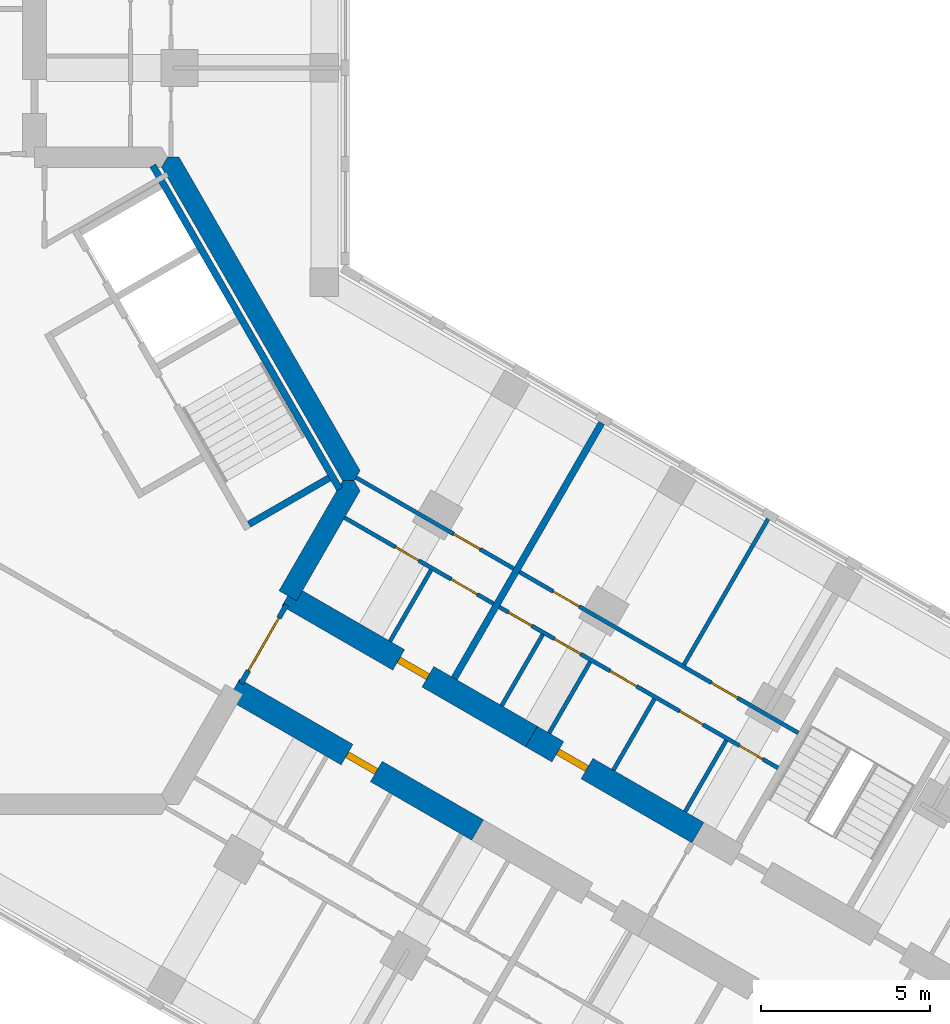
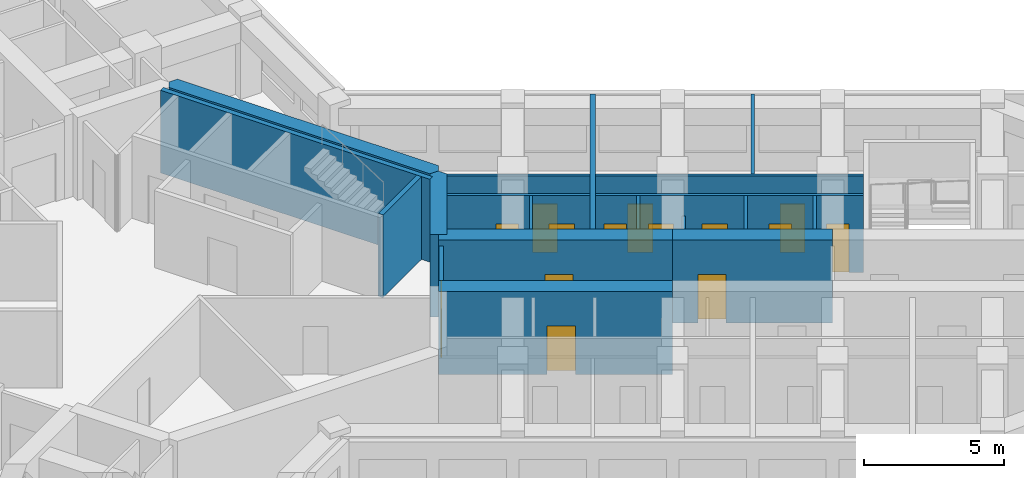
# One storey, part 12 of 16: 19 walls, 14 doors, 14 openings.
"""IFC4 building model written with IfcOpenShell, lengths in metres."""

from ifc_helpers import new_model, si_unit, direction, frame, frame_2d, origin, place, context, subcontext, project, spatial, polyline, rectangle, outline, extrude, material, layer, layer_set, type_object, element, fill, save


model = new_model("IFC4")

# Units and contexts
model_context = context("Model", 3, precision=1e-05, world=origin(), true_north=direction((0.0, 1.0)))
body_context = subcontext(model_context, "Body", "Model", "MODEL_VIEW")
ifc_project = project(units=[si_unit("LENGTHUNIT", "METRE"), si_unit("AREAUNIT", "SQUARE_METRE"), si_unit("VOLUMEUNIT", "CUBIC_METRE"), si_unit("PLANEANGLEUNIT", "RADIAN"), si_unit("MASSUNIT", "GRAM", prefix="KILO")], contexts=[model_context])

# Site, building, storey
site_placement = place(None, origin())
site = spatial("IfcSite", under=ifc_project, at=site_placement, CompositionType="ELEMENT")
building_placement = place(site_placement, origin())
building = spatial("IfcBuilding", under=site, at=building_placement, Name="Kosmar Iwan School Tower", CompositionType="ELEMENT")
storey_placement = place(building_placement, frame((0.0, 0.0, 235.199951171875)))
storey = spatial("IfcBuildingStorey", under=building, at=storey_placement, Name="L59", CompositionType="ELEMENT", Elevation=235.199951171875)

# Walls
ifc_material_1 = material(Name="Concrete C50/60", Category="concrete")
ifc_layer_1 = layer(ifc_material_1, 0.60009765625)
ifc_layer_set_1 = layer_set([ifc_layer_1], Name="Core wall 600")
wall_type_1 = type_object("IfcWallType", Name="Core wall 600", PredefinedType="SHEAR", material=ifc_layer_set_1)
wall_1_placement = place(storey_placement, origin())
element("IfcWall", 1, at=wall_1_placement, inside=storey, type_object=wall_type_1, Name="Core wall F030", PredefinedType="SHEAR", context=body_context, shape_type="SweptSolid", body=[
    extrude(outline(polyline([(10.73876953125, 0.0), (11.085205078125, 0.0), (11.25830078125, 0.300048828125), (5.888916015625, 9.60009765625), (5.54248046875, 9.60009765625), (5.369384765625, 9.300048828125), (10.73876953125, 0.0)])), origin(), (0.0, 0.0, 1.0), 3.60009765625),
])
wall_2_placement = place(storey_placement, origin())
element("IfcWall", 2, at=wall_2_placement, inside=storey, type_object=wall_type_1, Name="Core wall F330b", PredefinedType="SHEAR", context=body_context, shape_type="SweptSolid", body=[
    extrude(outline(polyline([(9.37353515625, -3.564453125), (11.25830078125, -0.300048828125), (11.085205078125, 0.0), (10.73876953125, 0.0), (8.85400390625, -3.264404296875), (9.37353515625, -3.564453125)])), origin(), (0.0, 0.0, 1.0), 3.60009765625),
])

# Wall, opening, door
ifc_material_2 = material(Name="Concrete C50/60", Category="concrete")
ifc_layer_2 = layer(ifc_material_2, 0.699951171875)
ifc_layer_set_2 = layer_set([ifc_layer_2], Name="Corridor buttress wall 700")
wall_type_2 = type_object("IfcWallType", Name="Corridor buttress wall 700", PredefinedType="SHEAR", material=ifc_layer_set_2)
wall_3_placement = place(storey_placement, frame((9.11376953125, -3.414306640625, 0.0), z_axis=(0.0, 0.0, 1.0), x_axis=(0.866026859388, -0.499997478812, 0.0)))
wall_3 = element("IfcWall", 3, at=wall_3_placement, inside=storey, type_object=wall_type_2, Name="Corridor wall CL", PredefinedType="SHEAR", context=body_context, shape_type="SweptSolid", body=[
    extrude(rectangle(XDim=8.35009765625, YDim=0.699951171875, at=frame_2d((4.175048828125, 0.0))), origin(), (0.0, 0.0, 1.0), 3.60009765625),
])
opening_1_placement = place(wall_3_placement, frame((3.800048828125, 0.0, 0.0)))
opening_1 = element("IfcOpeningElement", 4, at=opening_1_placement, cuts=wall_3, Name="Opening D1", PredefinedType="OPENING", context=body_context, shape_type="SweptSolid", body=[
    extrude(rectangle(XDim=1.0, YDim=2.10009765625, at=frame_2d((0.5, 1.050048828125))), frame((0.0, 0.362060546875, 0.0), z_axis=(0.0, -1.0, 0.0), x_axis=(1.0, 0.0, 0.0)), (0.0, 0.0, 1.0), 0.723876953125),
])
ifc_material_3 = material(Name="Timber fire door in steel frame", Category="steel")
door_type_1 = type_object("IfcDoorType", Name="Flat entrance door 1000x2100", OperationType="SINGLE_SWING_LEFT", PredefinedType="DOOR", material=ifc_material_3)
door_1_placement = place(opening_1_placement, origin())
door_1 = element("IfcDoor", 5, at=door_1_placement, inside=storey, type_object=door_type_1, Name="Flat L59-CL1 entrance door", OperationType="SINGLE_SWING_LEFT", OverallHeight=2.10009765625, OverallWidth=1.0, PredefinedType="DOOR", context=body_context, shape_type="SweptSolid", body=[
    extrude(rectangle(XDim=1.0, YDim=2.10009765625, at=frame_2d((0.5, 1.050048828125))), frame((0.0, 0.10009765625, 0.0), z_axis=(0.0, -1.0, 0.0), x_axis=(1.0, 0.0, 0.0)), (0.0, 0.0, 1.0), 0.199951171875),
])
fill(opening_1, door_1)

wall_4_placement = place(storey_placement, frame((16.34521484375, -7.58935546875, 0.0), z_axis=(0.0, 0.0, 1.0), x_axis=(0.866015111908, -0.50001782563, 0.0)))
wall_4 = element("IfcWall", 6, at=wall_4_placement, inside=storey, type_object=wall_type_2, Name="Corridor wall CL bay 2", PredefinedType="SHEAR", context=body_context, shape_type="SweptSolid", body=[
    extrude(rectangle(XDim=5.699951171875, YDim=0.699951171875, at=frame_2d((2.85009765625, 0.0))), origin(), (0.0, 0.0, 1.0), 3.60009765625),
])
opening_2_placement = place(wall_4_placement, frame((0.89990234375, 0.0, 0.0)))
opening_2 = element("IfcOpeningElement", 7, at=opening_2_placement, cuts=wall_4, Name="Opening D1", PredefinedType="OPENING", context=body_context, shape_type="SweptSolid", body=[
    extrude(rectangle(XDim=1.0, YDim=2.10009765625, at=frame_2d((0.5, 1.050048828125))), frame((0.0, 0.362060546875, 0.0), z_axis=(0.0, -1.0, 0.0), x_axis=(1.0, 0.0, 0.0)), (0.0, 0.0, 1.0), 0.723876953125),
])
door_2_placement = place(opening_2_placement, origin())
door_2 = element("IfcDoor", 8, at=door_2_placement, inside=storey, type_object=door_type_1, Name="Flat L59-CL2 entrance door", OperationType="SINGLE_SWING_LEFT", OverallHeight=2.10009765625, OverallWidth=1.0, PredefinedType="DOOR", context=body_context, shape_type="SweptSolid", body=[
    extrude(rectangle(XDim=1.0, YDim=2.10009765625, at=frame_2d((0.5, 1.050048828125))), frame((0.0, 0.10009765625, 0.0), z_axis=(0.0, -1.0, 0.0), x_axis=(1.0, 0.0, 0.0)), (0.0, 0.0, 1.0), 0.199951171875),
])
fill(opening_2, door_2)

wall_5_placement = place(storey_placement, frame((7.513916015625, -6.185546875, 0.0), z_axis=(0.0, 0.0, 1.0), x_axis=(0.866019549707, -0.500010139422, 0.0)))
wall_5 = element("IfcWall", 9, at=wall_5_placement, inside=storey, type_object=wall_type_2, Name="Corridor wall CR", PredefinedType="SHEAR", context=body_context, shape_type="SweptSolid", body=[
    extrude(rectangle(XDim=8.349853515625, YDim=0.699951171875, at=frame_2d((4.1748046875, 0.0))), origin(), (0.0, 0.0, 1.0), 3.60009765625),
])
opening_3_placement = place(wall_5_placement, frame((3.8798828125, 0.0, 0.0)))
opening_3 = element("IfcOpeningElement", 10, at=opening_3_placement, cuts=wall_5, Name="Opening D1", PredefinedType="OPENING", context=body_context, shape_type="SweptSolid", body=[
    extrude(rectangle(XDim=1.0, YDim=2.10009765625, at=frame_2d((0.5, 1.050048828125))), frame((0.0, 0.362060546875, 0.0), z_axis=(0.0, -1.0, 0.0), x_axis=(1.0, 0.0, 0.0)), (0.0, 0.0, 1.0), 0.723876953125),
])
door_3_placement = place(opening_3_placement, origin())
door_3 = element("IfcDoor", 11, at=door_3_placement, inside=storey, type_object=door_type_1, Name="Flat L59-CR1 entrance door", OperationType="SINGLE_SWING_RIGHT", OverallHeight=2.10009765625, OverallWidth=1.0, PredefinedType="DOOR", context=body_context, shape_type="SweptSolid", body=[
    extrude(rectangle(XDim=1.0, YDim=2.10009765625, at=frame_2d((0.5, 1.050048828125))), frame((0.0, 0.10009765625, 0.0), z_axis=(0.0, -1.0, 0.0), x_axis=(1.0, 0.0, 0.0)), (0.0, 0.0, 1.0), 0.199951171875),
])
fill(opening_3, door_3)

ifc_material_4 = material(Name="Steel framed glazed screen", Category="steel")
ifc_layer_3 = layer(ifc_material_4, 0.14990234375)
ifc_layer_set_3 = layer_set([ifc_layer_3], Name="Corridor screen wall 150")
wall_type_3 = type_object("IfcWallType", Name="Corridor screen wall 150", PredefinedType="PARTITIONING", material=ifc_layer_set_3)
wall_6_placement = place(storey_placement, frame((7.725341796875, -6.01904296875, 0.0), z_axis=(0.0, 0.0, 1.0), x_axis=(0.500048589285, 0.86599734893, 0.0)))
wall_6 = element("IfcWall", 12, at=wall_6_placement, inside=storey, type_object=wall_type_3, Name="Corridor screen C L59", PredefinedType="PARTITIONING", context=body_context, shape_type="SweptSolid", body=[
    extrude(rectangle(XDim=2.699951171875, YDim=0.14990234375, at=frame_2d((1.35009765625, 0.0))), origin(), (0.0, 0.0, 1.0), 3.35009765625),
])
opening_4_placement = place(wall_6_placement, frame((0.449951171875, 0.0, 0.0)))
opening_4 = element("IfcOpeningElement", 13, at=opening_4_placement, cuts=wall_6, Name="Opening D9", PredefinedType="OPENING", context=body_context, shape_type="SweptSolid", body=[
    extrude(rectangle(XDim=1.800048828125, YDim=2.10009765625, at=frame_2d((0.89990234375, 1.050048828125))), frame((0.0, 0.0869140625, 0.0), z_axis=(0.0, -1.0, 0.0), x_axis=(1.0, 0.0, 0.0)), (0.0, 0.0, 1.0), 0.173828125),
])
ifc_material_5 = material(Name="Steel framed glazed smoke door", Category="steel")
door_type_2 = type_object("IfcDoorType", Name="Corridor smoke door pair 1800x2100", OperationType="DOUBLE_DOOR_DOUBLE_SWING", PredefinedType="DOOR", material=ifc_material_5)
door_4_placement = place(opening_4_placement, origin())
door_4 = element("IfcDoor", 14, at=door_4_placement, inside=storey, type_object=door_type_2, Name="Corridor doors C L59", OperationType="DOUBLE_DOOR_DOUBLE_SWING", OverallHeight=2.10009765625, OverallWidth=1.800048828125, PredefinedType="DOOR", context=body_context, shape_type="SweptSolid", body=[
    extrude(rectangle(XDim=1.800048828125, YDim=2.10009765625, at=frame_2d((0.89990234375, 1.050048828125))), frame((0.0, 0.02490234375, 0.0), z_axis=(0.0, -1.0, 0.0), x_axis=(1.0, 0.0, 0.0)), (0.0, 0.0, 1.0), 0.050048828125),
])
fill(opening_4, door_4)

# Wall, openings, doors
ifc_material_6 = material(Name="Gypsum board on steel studs", Category="steel")
ifc_layer_4 = layer(ifc_material_6, 0.1201171875)
ifc_layer_set_4 = layer_set([ifc_layer_4], Name="Dwelling partition 120")
wall_type_4 = type_object("IfcWallType", Name="Dwelling partition 120", PredefinedType="PARTITIONING", material=ifc_layer_set_4)
wall_7_placement = place(storey_placement, frame((10.798583984375, -1.09619140625, 0.0), z_axis=(0.0, 0.0, 1.0), x_axis=(0.86602216432, -0.500005610874, 0.0)))
wall_7 = element("IfcWall", 15, at=wall_7_placement, inside=storey, type_object=wall_type_4, Name="Partition L59-CL1-W1", PredefinedType="PARTITIONING", context=body_context, shape_type="SweptSolid", body=[
    extrude(rectangle(XDim=5.10009765625, YDim=0.1201171875, at=frame_2d((2.550048828125, 0.0))), origin(), (0.0, 0.0, 1.0), 3.35009765625),
])
opening_5_placement = place(wall_7_placement, frame((1.75, 0.0, 0.0)))
opening_5 = element("IfcOpeningElement", 16, at=opening_5_placement, cuts=wall_7, Name="Opening D3", PredefinedType="OPENING", context=body_context, shape_type="SweptSolid", body=[
    extrude(rectangle(XDim=0.800048828125, YDim=2.10009765625, at=frame_2d((0.39990234375, 1.050048828125))), frame((0.0, 0.072021484375, 0.0), z_axis=(0.0, -1.0, 0.0), x_axis=(1.0, 0.0, 0.0)), (0.0, 0.0, 1.0), 0.14404296875),
])
opening_6_placement = place(wall_7_placement, frame((3.64990234375, 0.0, 0.0)))
opening_6 = element("IfcOpeningElement", 17, at=opening_6_placement, cuts=wall_7, Name="Opening D2", PredefinedType="OPENING", context=body_context, shape_type="SweptSolid", body=[
    extrude(rectangle(XDim=0.89990234375, YDim=2.10009765625, at=frame_2d((0.449951171875, 1.050048828125))), frame((0.0, 0.072021484375, 0.0), z_axis=(0.0, -1.0, 0.0), x_axis=(1.0, 0.0, 0.0)), (0.0, 0.0, 1.0), 0.14404296875),
])
ifc_material_7 = material(Name="Timber door in timber frame", Category="wood")
door_type_3 = type_object("IfcDoorType", Name="Internal door 900x2100", OperationType="SINGLE_SWING_LEFT", PredefinedType="DOOR", material=ifc_material_7)
door_5_placement = place(opening_6_placement, origin())
door_5 = element("IfcDoor", 18, at=door_5_placement, inside=storey, type_object=door_type_3, Name="Entrance hall door L59-CL1-S2", OperationType="SINGLE_SWING_RIGHT", OverallHeight=2.10009765625, OverallWidth=0.89990234375, PredefinedType="DOOR", context=body_context, shape_type="SweptSolid", body=[
    extrude(rectangle(XDim=0.89990234375, YDim=2.10009765625, at=frame_2d((0.449951171875, 1.050048828125))), frame((0.0, 0.02490234375, 0.0), z_axis=(0.0, -1.0, 0.0), x_axis=(1.0, 0.0, 0.0)), (0.0, 0.0, 1.0), 0.050048828125),
])
fill(opening_6, door_5)
ifc_material_8 = material(Name="Timber door in timber frame", Category="wood")
door_type_4 = type_object("IfcDoorType", Name="Sanitary room door 800x2100", OperationType="SINGLE_SWING_LEFT", PredefinedType="DOOR", material=ifc_material_8)
door_6_placement = place(opening_5_placement, origin())
door_6 = element("IfcDoor", 19, at=door_6_placement, inside=storey, type_object=door_type_4, Name="Bathroom door L59-CL1-S1", OperationType="SINGLE_SWING_LEFT", OverallHeight=2.10009765625, OverallWidth=0.800048828125, PredefinedType="DOOR", context=body_context, shape_type="SweptSolid", body=[
    extrude(rectangle(XDim=0.800048828125, YDim=2.10009765625, at=frame_2d((0.39990234375, 1.050048828125))), frame((0.0, 0.02490234375, 0.0), z_axis=(0.0, -1.0, 0.0), x_axis=(1.0, 0.0, 0.0)), (0.0, 0.0, 1.0), 0.050048828125),
])
fill(opening_5, door_6)

# Wall, opening, door
wall_8_placement = place(storey_placement, frame((11.138916015625, 0.093017578125, 0.0), z_axis=(0.0, 0.0, 1.0), x_axis=(0.866028230842, -0.499995103361, 0.0)))
wall_8 = element("IfcWall", 20, at=wall_8_placement, inside=storey, type_object=wall_type_4, Name="Partition L59-CL1-W2", PredefinedType="PARTITIONING", context=body_context, shape_type="SweptSolid", body=[
    extrude(rectangle(XDim=5.39990234375, YDim=0.1201171875, at=frame_2d((2.699951171875, 0.0))), origin(), (0.0, 0.0, 1.0), 3.35009765625),
])
opening_7_placement = place(wall_8_placement, frame((3.35009765625, 0.0, 0.0)))
opening_7 = element("IfcOpeningElement", 21, at=opening_7_placement, cuts=wall_8, Name="Opening D2", PredefinedType="OPENING", context=body_context, shape_type="SweptSolid", body=[
    extrude(rectangle(XDim=0.89990234375, YDim=2.10009765625, at=frame_2d((0.449951171875, 1.050048828125))), frame((0.0, 0.072021484375, 0.0), z_axis=(0.0, -1.0, 0.0), x_axis=(1.0, 0.0, 0.0)), (0.0, 0.0, 1.0), 0.14404296875),
])
door_7_placement = place(opening_7_placement, origin())
door_7 = element("IfcDoor", 22, at=door_7_placement, inside=storey, type_object=door_type_3, Name="Studio living room and kitchen door L59-CL1-F1", OperationType="SINGLE_SWING_RIGHT", OverallHeight=2.10009765625, OverallWidth=0.89990234375, PredefinedType="DOOR", context=body_context, shape_type="SweptSolid", body=[
    extrude(rectangle(XDim=0.89990234375, YDim=2.10009765625, at=frame_2d((0.449951171875, 1.050048828125))), frame((0.0, 0.02490234375, 0.0), z_axis=(0.0, -1.0, 0.0), x_axis=(1.0, 0.0, 0.0)), (0.0, 0.0, 1.0), 0.050048828125),
])
fill(opening_7, door_7)

# Wall
wall_9_placement = place(storey_placement, frame((12.146728515625, -4.76123046875, 0.0), z_axis=(0.0, 0.0, 1.0), x_axis=(0.500002508028, 0.866023955769, 0.0)))
element("IfcWall", 23, at=wall_9_placement, inside=storey, type_object=wall_type_4, Name="Partition L59-CL1-Y1", PredefinedType="PARTITIONING", context=body_context, shape_type="SweptSolid", body=[
    extrude(rectangle(XDim=2.43994140625, YDim=0.1201171875, at=frame_2d((1.219970703125, 0.0))), origin(), (0.0, 0.0, 1.0), 3.35009765625),
])

# Wall, openings, doors
wall_10_placement = place(storey_placement, frame((15.388671875, -3.74609375, 0.0), z_axis=(0.0, 0.0, 1.0), x_axis=(0.866017851049, -0.500013081493, 0.0)))
wall_10 = element("IfcWall", 24, at=wall_10_placement, inside=storey, type_object=wall_type_4, Name="Partition L59-CL2-W1", PredefinedType="PARTITIONING", context=body_context, shape_type="SweptSolid", body=[
    extrude(rectangle(XDim=9.550048828125, YDim=0.1201171875, at=frame_2d((4.77490234375, 0.0))), origin(), (0.0, 0.0, 1.0), 3.35009765625),
])
opening_8_placement = place(wall_10_placement, frame((0.3125, 0.0, 0.0)))
opening_8 = element("IfcOpeningElement", 25, at=opening_8_placement, cuts=wall_10, Name="Opening D3", PredefinedType="OPENING", context=body_context, shape_type="SweptSolid", body=[
    extrude(rectangle(XDim=0.800048828125, YDim=2.10009765625, at=frame_2d((0.39990234375, 1.050048828125))), frame((0.0, 0.072021484375, 0.0), z_axis=(0.0, -1.0, 0.0), x_axis=(1.0, 0.0, 0.0)), (0.0, 0.0, 1.0), 0.14404296875),
])
opening_9_placement = place(wall_10_placement, frame((1.887451171875, 0.0, 0.0)))
opening_9 = element("IfcOpeningElement", 26, at=opening_9_placement, cuts=wall_10, Name="Opening D2", PredefinedType="OPENING", context=body_context, shape_type="SweptSolid", body=[
    extrude(rectangle(XDim=0.89990234375, YDim=2.10009765625, at=frame_2d((0.449951171875, 1.050048828125))), frame((0.0, 0.072021484375, 0.0), z_axis=(0.0, -1.0, 0.0), x_axis=(1.0, 0.0, 0.0)), (0.0, 0.0, 1.0), 0.14404296875),
])
opening_10_placement = place(wall_10_placement, frame((3.800048828125, 0.0, 0.0)))
opening_10 = element("IfcOpeningElement", 27, at=opening_10_placement, cuts=wall_10, Name="Opening D2", PredefinedType="OPENING", context=body_context, shape_type="SweptSolid", body=[
    extrude(rectangle(XDim=0.89990234375, YDim=2.10009765625, at=frame_2d((0.449951171875, 1.050048828125))), frame((0.0, 0.072021484375, 0.0), z_axis=(0.0, -1.0, 0.0), x_axis=(1.0, 0.0, 0.0)), (0.0, 0.0, 1.0), 0.14404296875),
])
opening_11_placement = place(wall_10_placement, frame((6.179931640625, 0.0, 0.0)))
opening_11 = element("IfcOpeningElement", 28, at=opening_11_placement, cuts=wall_10, Name="Opening D3", PredefinedType="OPENING", context=body_context, shape_type="SweptSolid", body=[
    extrude(rectangle(XDim=0.800048828125, YDim=2.10009765625, at=frame_2d((0.39990234375, 1.050048828125))), frame((0.0, 0.072021484375, 0.0), z_axis=(0.0, -1.0, 0.0), x_axis=(1.0, 0.0, 0.0)), (0.0, 0.0, 1.0), 0.14404296875),
])
opening_12_placement = place(wall_10_placement, frame((8.22998046875, 0.0, 0.0)))
opening_12 = element("IfcOpeningElement", 29, at=opening_12_placement, cuts=wall_10, Name="Opening D3", PredefinedType="OPENING", context=body_context, shape_type="SweptSolid", body=[
    extrude(rectangle(XDim=0.800048828125, YDim=2.10009765625, at=frame_2d((0.39990234375, 1.050048828125))), frame((0.0, 0.072021484375, 0.0), z_axis=(0.0, -1.0, 0.0), x_axis=(1.0, 0.0, 0.0)), (0.0, 0.0, 1.0), 0.14404296875),
])
door_8_placement = place(opening_9_placement, origin())
door_8 = element("IfcDoor", 30, at=door_8_placement, inside=storey, type_object=door_type_3, Name="Pantry door L59-CL2-S2", OperationType="SINGLE_SWING_LEFT", OverallHeight=2.10009765625, OverallWidth=0.89990234375, PredefinedType="DOOR", context=body_context, shape_type="SweptSolid", body=[
    extrude(rectangle(XDim=0.89990234375, YDim=2.10009765625, at=frame_2d((0.449951171875, 1.050048828125))), frame((0.0, 0.02490234375, 0.0), z_axis=(0.0, -1.0, 0.0), x_axis=(1.0, 0.0, 0.0)), (0.0, 0.0, 1.0), 0.050048828125),
])
fill(opening_9, door_8)
door_9_placement = place(opening_10_placement, origin())
door_9 = element("IfcDoor", 31, at=door_9_placement, inside=storey, type_object=door_type_3, Name="Entrance hall door L59-CL2-S3", OperationType="SINGLE_SWING_LEFT", OverallHeight=2.10009765625, OverallWidth=0.89990234375, PredefinedType="DOOR", context=body_context, shape_type="SweptSolid", body=[
    extrude(rectangle(XDim=0.89990234375, YDim=2.10009765625, at=frame_2d((0.449951171875, 1.050048828125))), frame((0.0, 0.02490234375, 0.0), z_axis=(0.0, -1.0, 0.0), x_axis=(1.0, 0.0, 0.0)), (0.0, 0.0, 1.0), 0.050048828125),
])
fill(opening_10, door_9)
door_10_placement = place(opening_8_placement, origin())
door_10 = element("IfcDoor", 32, at=door_10_placement, inside=storey, type_object=door_type_4, Name="Store door L59-CL2-S1", OperationType="SINGLE_SWING_LEFT", OverallHeight=2.10009765625, OverallWidth=0.800048828125, PredefinedType="DOOR", context=body_context, shape_type="SweptSolid", body=[
    extrude(rectangle(XDim=0.800048828125, YDim=2.10009765625, at=frame_2d((0.39990234375, 1.050048828125))), frame((0.0, 0.02490234375, 0.0), z_axis=(0.0, -1.0, 0.0), x_axis=(1.0, 0.0, 0.0)), (0.0, 0.0, 1.0), 0.050048828125),
])
fill(opening_8, door_10)
door_11_placement = place(opening_11_placement, origin())
door_11 = element("IfcDoor", 33, at=door_11_placement, inside=storey, type_object=door_type_4, Name="Bathroom door L59-CL2-S4", OperationType="SINGLE_SWING_RIGHT", OverallHeight=2.10009765625, OverallWidth=0.800048828125, PredefinedType="DOOR", context=body_context, shape_type="SweptSolid", body=[
    extrude(rectangle(XDim=0.800048828125, YDim=2.10009765625, at=frame_2d((0.39990234375, 1.050048828125))), frame((0.0, 0.02490234375, 0.0), z_axis=(0.0, -1.0, 0.0), x_axis=(1.0, 0.0, 0.0)), (0.0, 0.0, 1.0), 0.050048828125),
])
fill(opening_11, door_11)
door_12_placement = place(opening_12_placement, origin())
door_12 = element("IfcDoor", 34, at=door_12_placement, inside=storey, type_object=door_type_4, Name="WC door L59-CL2-S5", OperationType="SINGLE_SWING_RIGHT", OverallHeight=2.10009765625, OverallWidth=0.800048828125, PredefinedType="DOOR", context=body_context, shape_type="SweptSolid", body=[
    extrude(rectangle(XDim=0.800048828125, YDim=2.10009765625, at=frame_2d((0.39990234375, 1.050048828125))), frame((0.0, 0.02490234375, 0.0), z_axis=(0.0, -1.0, 0.0), x_axis=(1.0, 0.0, 0.0)), (0.0, 0.0, 1.0), 0.050048828125),
])
fill(opening_12, door_12)

wall_11_placement = place(storey_placement, frame((15.988525390625, -2.70703125, 0.0), z_axis=(0.0, 0.0, 1.0), x_axis=(0.866028920859, -0.499993908199, 0.0)))
wall_11 = element("IfcWall", 35, at=wall_11_placement, inside=storey, type_object=wall_type_4, Name="Partition L59-CL2-W2", PredefinedType="PARTITIONING", context=body_context, shape_type="SweptSolid", body=[
    extrude(rectangle(XDim=9.5498046875, YDim=0.1201171875, at=frame_2d((4.77490234375, 0.0))), origin(), (0.0, 0.0, 1.0), 3.35009765625),
])
opening_13_placement = place(wall_11_placement, frame((1.14990234375, 0.0, 0.0)))
opening_13 = element("IfcOpeningElement", 36, at=opening_13_placement, cuts=wall_11, Name="Opening D2", PredefinedType="OPENING", context=body_context, shape_type="SweptSolid", body=[
    extrude(rectangle(XDim=0.89990234375, YDim=2.10009765625, at=frame_2d((0.449951171875, 1.050048828125))), frame((0.0, 0.072021484375, 0.0), z_axis=(0.0, -1.0, 0.0), x_axis=(1.0, 0.0, 0.0)), (0.0, 0.0, 1.0), 0.14404296875),
])
opening_14_placement = place(wall_11_placement, frame((6.574951171875, 0.0, 0.0)))
opening_14 = element("IfcOpeningElement", 37, at=opening_14_placement, cuts=wall_11, Name="Opening D2", PredefinedType="OPENING", context=body_context, shape_type="SweptSolid", body=[
    extrude(rectangle(XDim=0.89990234375, YDim=2.10009765625, at=frame_2d((0.449951171875, 1.050048828125))), frame((0.0, 0.072021484375, 0.0), z_axis=(0.0, -1.0, 0.0), x_axis=(1.0, 0.0, 0.0)), (0.0, 0.0, 1.0), 0.14404296875),
])
door_13_placement = place(opening_13_placement, origin())
door_13 = element("IfcDoor", 38, at=door_13_placement, inside=storey, type_object=door_type_3, Name="Living room and kitchen door L59-CL2-F1", OperationType="SINGLE_SWING_LEFT", OverallHeight=2.10009765625, OverallWidth=0.89990234375, PredefinedType="DOOR", context=body_context, shape_type="SweptSolid", body=[
    extrude(rectangle(XDim=0.89990234375, YDim=2.10009765625, at=frame_2d((0.449951171875, 1.050048828125))), frame((0.0, 0.02490234375, 0.0), z_axis=(0.0, -1.0, 0.0), x_axis=(1.0, 0.0, 0.0)), (0.0, 0.0, 1.0), 0.050048828125),
])
fill(opening_13, door_13)
door_14_placement = place(opening_14_placement, origin())
door_14 = element("IfcDoor", 39, at=door_14_placement, inside=storey, type_object=door_type_3, Name="Bedroom 1 door L59-CL2-F2", OperationType="SINGLE_SWING_LEFT", OverallHeight=2.10009765625, OverallWidth=0.89990234375, PredefinedType="DOOR", context=body_context, shape_type="SweptSolid", body=[
    extrude(rectangle(XDim=0.89990234375, YDim=2.10009765625, at=frame_2d((0.449951171875, 1.050048828125))), frame((0.0, 0.02490234375, 0.0), z_axis=(0.0, -1.0, 0.0), x_axis=(1.0, 0.0, 0.0)), (0.0, 0.0, 1.0), 0.050048828125),
])
fill(opening_14, door_14)

# Walls
wall_12_placement = place(storey_placement, frame((20.868408203125, -5.455078125, 0.0), z_axis=(0.0, 0.0, 1.0), x_axis=(0.499975153383, 0.86603974851, 0.0)))
element("IfcWall", 40, at=wall_12_placement, inside=storey, type_object=wall_type_4, Name="Partition L59-CL2-X1", PredefinedType="PARTITIONING", context=body_context, shape_type="SweptSolid", body=[
    extrude(rectangle(XDim=4.989990234375, YDim=0.1201171875, at=frame_2d((2.4951171875, 0.0))), origin(), (0.0, 0.0, 1.0), 3.35009765625),
])
wall_13_placement = place(storey_placement, frame((15.459228515625, -6.673828125, 0.0), z_axis=(0.0, 0.0, 1.0), x_axis=(0.499959183527, 0.866048967903, 0.0)))
element("IfcWall", 41, at=wall_13_placement, inside=storey, type_object=wall_type_4, Name="Partition L59-CL2-Y1", PredefinedType="PARTITIONING", context=body_context, shape_type="SweptSolid", body=[
    extrude(rectangle(XDim=2.440185546875, YDim=0.1201171875, at=frame_2d((1.22021484375, 0.0))), origin(), (0.0, 0.0, 1.0), 3.35009765625),
])
wall_14_placement = place(storey_placement, frame((16.866455078125, -7.486328125, 0.0), z_axis=(0.0, 0.0, 1.0), x_axis=(0.500034220881, 0.866005645448, 0.0)))
element("IfcWall", 42, at=wall_14_placement, inside=storey, type_object=wall_type_4, Name="Partition L59-CL2-Y2", PredefinedType="PARTITIONING", context=body_context, shape_type="SweptSolid", body=[
    extrude(rectangle(XDim=2.440185546875, YDim=0.1201171875, at=frame_2d((1.22021484375, 0.0))), origin(), (0.0, 0.0, 1.0), 2.449951171875),
])
for number, where, z_axis, x_axis, name in (
    (43, (18.771728515625, -8.586181640625, 0.0), (0.0, 0.0, 1.0), (0.500077547548, 0.865980627057, 0.0), "Partition L59-CL2-Y3"),
    (44, (20.90234375, -9.816162109375, 0.0), (0.0, 0.0, 1.0), (0.500002508028, 0.866023955769, 0.0), "Partition L59-CL2-Y4"),
):
    element("IfcWall", number, at=place(storey_placement, frame(where, z_axis=z_axis, x_axis=x_axis)), inside=storey, type_object=wall_type_4, Name=name, PredefinedType="PARTITIONING", context=body_context, shape_type="SweptSolid", body=[
        extrude(rectangle(XDim=2.43994140625, YDim=0.1201171875, at=frame_2d((1.219970703125, 0.0))), origin(), (0.0, 0.0, 1.0), 3.35009765625),
    ])
ifc_material_9 = material(Name="Concrete C50/60", Category="concrete")
ifc_layer_5 = layer(ifc_material_9, 0.199951171875)
ifc_layer_set_5 = layer_set([ifc_layer_5], Name="Lift shaft wall 200")
wall_type_5 = type_object("IfcWallType", Name="Lift shaft wall 200", PredefinedType="SHEAR", material=ifc_layer_set_5)
wall_15_placement = place(storey_placement, frame((10.652099609375, -0.25, 0.0), z_axis=(0.0, 0.0, 1.0), x_axis=(-0.499990629522, 0.866030813765, 0.0)))
element("IfcWall", 45, at=wall_15_placement, inside=storey, type_object=wall_type_5, Name="Lift and stair back wall AC", PredefinedType="SHEAR", context=body_context, shape_type="SweptSolid", body=[
    extrude(rectangle(XDim=11.085205078125, YDim=0.199951171875, at=frame_2d((5.54248046875, 0.0))), origin(), (0.0, 0.0, 1.0), 3.60009765625),
])
ifc_material_10 = material(Name="Concrete block masonry", Category="masonry")
ifc_layer_6 = layer(ifc_material_10, 0.199951171875)
ifc_layer_set_6 = layer_set([ifc_layer_6], Name="Party wall 200")
wall_type_6 = type_object("IfcWallType", Name="Party wall 200", PredefinedType="PARTITIONING", material=ifc_layer_set_6)
wall_16_placement = place(storey_placement, frame((14.052001953125, -5.861328125, 0.0), z_axis=(0.0, 0.0, 1.0), x_axis=(0.499992152613, 0.866029934428, 0.0)))
element("IfcWall", 46, at=wall_16_placement, inside=storey, type_object=wall_type_6, Name="Partition L59-CL2-PW", PredefinedType="PARTITIONING", context=body_context, shape_type="SweptSolid", body=[
    extrude(rectangle(XDim=8.750244140625, YDim=0.199951171875, at=frame_2d((4.375, 0.0))), origin(), (0.0, 0.0, 1.0), 3.35009765625),
])
ifc_material_11 = material(Name="Concrete C50/60", Category="concrete")
ifc_layer_7 = layer(ifc_material_11, 0.199951171875)
ifc_layer_set_7 = layer_set([ifc_layer_7], Name="Stair enclosure wall 200")
wall_type_7 = type_object("IfcWallType", Name="Stair enclosure wall 200", PredefinedType="SHEAR", material=ifc_layer_set_7)
wall_17_placement = place(storey_placement, frame((7.962646484375, -1.291748046875, 0.0), z_axis=(0.0, 0.0, 1.0), x_axis=(0.866027397988, 0.499996545922, 0.0)))
element("IfcWall", 47, at=wall_17_placement, inside=storey, type_object=wall_type_7, Name="Stair ST1 wall", PredefinedType="SHEAR", context=body_context, shape_type="SweptSolid", body=[
    extrude(rectangle(XDim=2.75, YDim=0.199951171875, at=frame_2d((1.375, 0.0))), origin(), (0.0, 0.0, 1.0), 3.60009765625),
])

save(model, "model.ifc")
